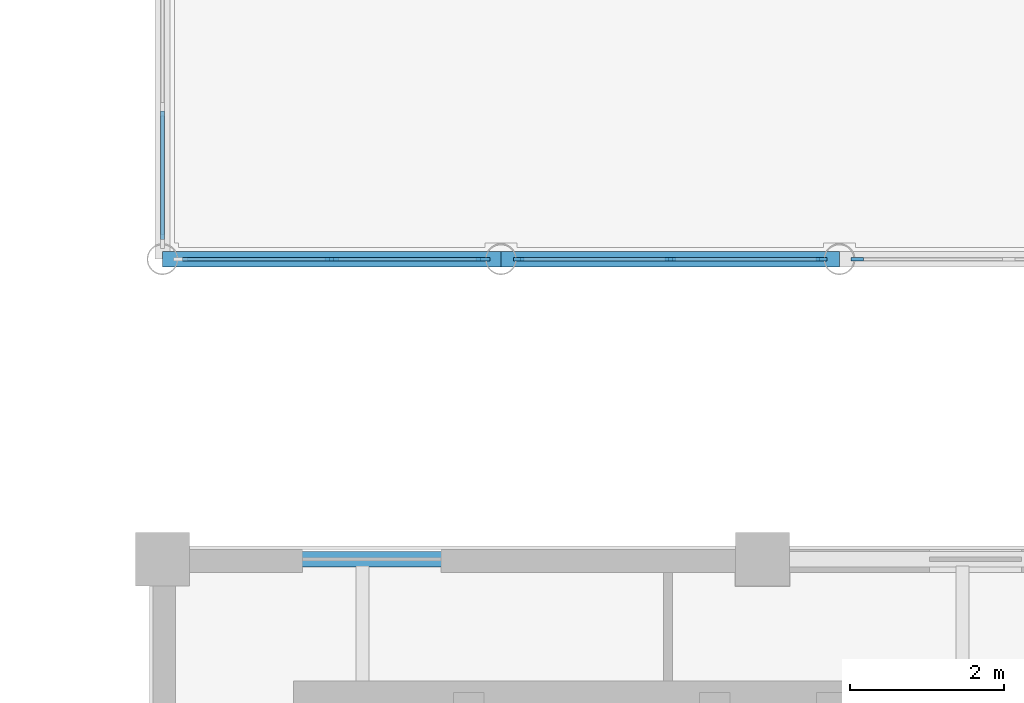
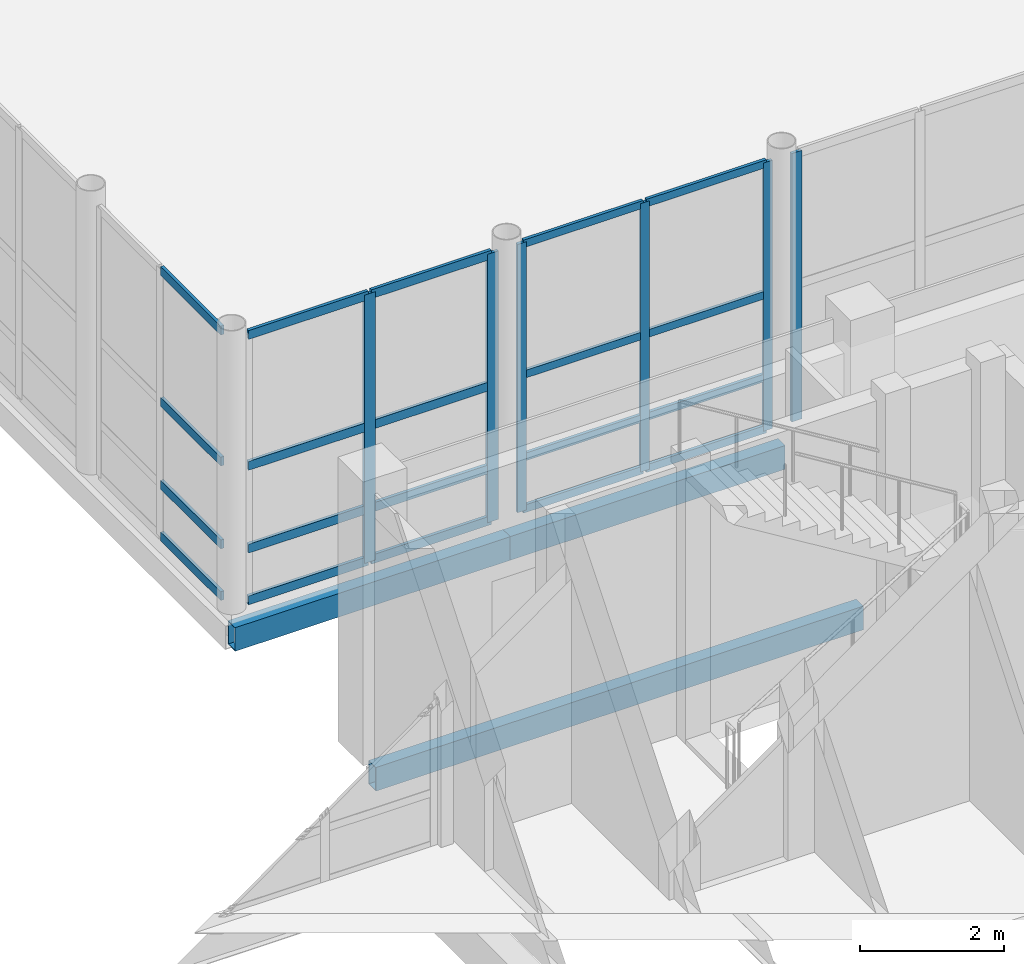
# One storey, part 33 of 131: 26 members, 3 beams, 4 elements without a shape of their own.
"""IFC4 building model written with IfcOpenShell, lengths in metres."""

from ifc_helpers import new_model, si_unit, direction, frame, origin, origin_2d, place, context, subcontext, project, spatial, rectangle, hollow_rectangle, extrude, material, layer, layer_set, material_profile, profile_set, type_object, element, aggregate, save


model = new_model("IFC4")

# Units and contexts
model_context = context("Model", 3, precision=1e-05, world=origin(), true_north=direction((0.0, 1.0)))
body_context = subcontext(model_context, "Body", "Model", "MODEL_VIEW")
ifc_project = project(units=[si_unit("LENGTHUNIT", "METRE"), si_unit("AREAUNIT", "SQUARE_METRE"), si_unit("VOLUMEUNIT", "CUBIC_METRE"), si_unit("PLANEANGLEUNIT", "RADIAN"), si_unit("MASSUNIT", "GRAM", prefix="KILO")], contexts=[model_context])

# Site, building, storey
site_placement = place(None, origin())
site = spatial("IfcSite", under=ifc_project, at=site_placement, CompositionType="ELEMENT")
building_placement = place(site_placement, origin())
building = spatial("IfcBuilding", under=site, at=building_placement, Name="Celorna Specialist Clinic", CompositionType="ELEMENT")
storey_placement = place(building_placement, origin())
storey = spatial("IfcBuildingStorey", under=building, at=storey_placement, Name="L00", CompositionType="ELEMENT", Elevation=0.0)

# Beams
ifc_material_1 = material(Name="Steel S355", Category="steel")
ifc_material_profile_1 = material_profile(ifc_material_1, hollow_rectangle(XDim=0.199951171875, YDim=0.39990234375, WallThickness=0.011962890625, at=origin_2d()), Name="RHS 200x400x12")
ifc_profile_set_1 = profile_set([ifc_material_profile_1], Name="Steel S355")
beam_type = type_object("IfcBeamType", Name="BM-15", PredefinedType="SPANDREL", material=ifc_profile_set_1)
for number, where, z_axis, x_axis, name in (
    (1, (54.60009765625, 46.800048828125, -0.5), (1.0, 0.0, 0.0), (0.0, 1.0, 0.0), "Spandrel beam BM-15 #128"),
    (2, (59.0, 46.800048828125, -0.5), (1.0, 0.0, 0.0), (0.0, 1.0, 0.0), "Spandrel beam BM-15 #129"),
):
    element("IfcBeam", number, at=place(storey_placement, frame(where, z_axis=z_axis, x_axis=x_axis)), inside=storey, type_object=beam_type, Name=name, PredefinedType="SPANDREL", context=body_context, shape_type="SweptSolid", body=[
        extrude(hollow_rectangle(XDim=0.199951171875, YDim=0.39990234375, WallThickness=0.011962890625, at=origin_2d()), origin(), (0.0, 0.0, 1.0), 4.39990234375),
    ])
beam_placement = place(storey_placement, frame((54.60009765625, 42.89990234375, -0.5), z_axis=(1.0, 0.0, 0.0), x_axis=(0.0, 1.0, 0.0)))
element("IfcBeam", 3, at=beam_placement, inside=storey, type_object=beam_type, Name="Spandrel beam BM-15 #2026", PredefinedType="SPANDREL", context=body_context, shape_type="SweptSolid", body=[
    extrude(hollow_rectangle(XDim=0.199951171875, YDim=0.39990234375, WallThickness=0.011962890625, at=origin_2d()), origin(), (0.0, 0.0, 1.0), 7.7998046875),
])

# Curtain wall, member
ifc_material_2 = material(Name="Thermally broken aluminium and solar-control glass curtain wall", Category="aluminium")
ifc_layer_1 = layer(ifc_material_2, 0.159912109375, Name="Thermally broken aluminium and solar-control glass curtain wall")
ifc_layer_set_1 = layer_set([ifc_layer_1], Name="Thermally broken aluminium and solar-control glass curtain wall")
curtain_wall_type_1 = type_object("IfcCurtainWallType", Name="CW-03", PredefinedType="NOTDEFINED", material=ifc_layer_set_1)
curtain_wall_1_placement = place(storey_placement, origin())
curtain_wall_1 = element("IfcCurtainWall", 4, at=curtain_wall_1_placement, inside=storey, type_object=curtain_wall_type_1, Name="Curtain wall CW-03 #3", PredefinedType="NOTDEFINED")
ifc_material_3 = material(Name="Anodized aluminium mullion", Category="aluminium")
ifc_material_profile_2 = material_profile(ifc_material_3, rectangle(XDim=0.050048828125, YDim=0.159912109375, at=origin_2d()), Name="ALU MULLION 50x160")
ifc_profile_set_2 = profile_set([ifc_material_profile_2], Name="Anodized aluminium mullion")
member_type_1 = type_object("IfcMemberType", Name="ML-01", PredefinedType="MULLION", material=ifc_profile_set_2)
member_1_placement = place(storey_placement, frame((63.632080078125, 46.800048828125, 0.0), z_axis=(0.0, 0.0, 1.0), x_axis=(0.0, -1.0, 0.0)))
member_1 = element("IfcMember", 5, at=member_1_placement, type_object=member_type_1, Name="CW-03 mullion 3", PredefinedType="MULLION", context=body_context, shape_type="SweptSolid", body=[
    extrude(rectangle(XDim=0.050048828125, YDim=0.159912109375, at=origin_2d()), origin(), (0.0, 0.0, 1.0), 4.5400390625),
])
aggregate(curtain_wall_1, [member_1])

# Curtain wall, members
ifc_layer_2 = layer(ifc_material_2, 0.159912109375, Name="Thermally broken aluminium and solar-control glass curtain wall")
ifc_layer_set_2 = layer_set([ifc_layer_2], Name="Thermally broken aluminium and solar-control glass curtain wall")
curtain_wall_type_2 = type_object("IfcCurtainWallType", Name="CW-01", PredefinedType="NOTDEFINED", material=ifc_layer_set_2)
curtain_wall_2_placement = place(storey_placement, origin())
curtain_wall_2 = element("IfcCurtainWall", 6, at=curtain_wall_2_placement, inside=storey, type_object=curtain_wall_type_2, Name="Curtain wall CW-01 #1", PredefinedType="NOTDEFINED")
ifc_material_profile_3 = material_profile(ifc_material_3, rectangle(XDim=0.050048828125, YDim=0.179931640625, at=origin_2d()), Name="ALU MULLION 50x180")
ifc_profile_set_3 = profile_set([ifc_material_profile_3], Name="Anodized aluminium mullion")
member_type_2 = type_object("IfcMemberType", Name="ML-02", PredefinedType="MULLION", material=ifc_profile_set_3)
member_2_placement = place(storey_placement, frame((58.767822265625, 46.800048828125, 0.0), z_axis=(0.0, 0.0, 1.0), x_axis=(0.0, -1.0, 0.0)))
member_2 = element("IfcMember", 7, at=member_2_placement, type_object=member_type_2, Name="CW-01 mullion 1", PredefinedType="MULLION", context=body_context, shape_type="SweptSolid", body=[
    extrude(rectangle(XDim=0.050048828125, YDim=0.179931640625, at=origin_2d()), origin(), (0.0, 0.0, 1.0), 4.5400390625),
])
member_3_placement = place(storey_placement, frame((56.800048828125, 46.800048828125, 0.0), z_axis=(0.0, 0.0, 1.0), x_axis=(0.0, -1.0, 0.0)))
member_3 = element("IfcMember", 8, at=member_3_placement, type_object=member_type_2, Name="CW-01 mullion 2", PredefinedType="MULLION", context=body_context, shape_type="SweptSolid", body=[
    extrude(rectangle(XDim=0.050048828125, YDim=0.179931640625, at=origin_2d()), origin(), (0.0, 0.0, 1.0), 4.5400390625),
])

ifc_layer_3 = layer(ifc_material_2, 0.159912109375, Name="Thermally broken aluminium and solar-control glass curtain wall")
ifc_layer_set_3 = layer_set([ifc_layer_3], Name="Thermally broken aluminium and solar-control glass curtain wall")
curtain_wall_type_3 = type_object("IfcCurtainWallType", Name="CW-02", PredefinedType="NOTDEFINED", material=ifc_layer_set_3)
curtain_wall_3_placement = place(storey_placement, origin())
curtain_wall_3 = element("IfcCurtainWall", 9, at=curtain_wall_3_placement, inside=storey, type_object=curtain_wall_type_3, Name="Curtain wall CW-02 #2", PredefinedType="NOTDEFINED")
ifc_material_profile_4 = material_profile(ifc_material_3, rectangle(XDim=0.050048828125, YDim=0.139892578125, at=origin_2d()), Name="ALU MULLION 50x140")
ifc_profile_set_4 = profile_set([ifc_material_profile_4], Name="Anodized aluminium mullion")
member_type_3 = type_object("IfcMemberType", Name="ML-03", PredefinedType="MULLION", material=ifc_profile_set_4)
member_4_placement = place(storey_placement, frame((63.167724609375, 46.800048828125, 0.0), z_axis=(0.0, 0.0, 1.0), x_axis=(0.0, -1.0, 0.0)))
member_4 = element("IfcMember", 10, at=member_4_placement, type_object=member_type_3, Name="CW-02 mullion 1", PredefinedType="MULLION", context=body_context, shape_type="SweptSolid", body=[
    extrude(rectangle(XDim=0.050048828125, YDim=0.139892578125, at=origin_2d()), origin(), (0.0, 0.0, 1.0), 4.5400390625),
])
member_5_placement = place(storey_placement, frame((61.199951171875, 46.800048828125, 0.0), z_axis=(0.0, 0.0, 1.0), x_axis=(0.0, -1.0, 0.0)))
member_5 = element("IfcMember", 11, at=member_5_placement, type_object=member_type_3, Name="CW-02 mullion 2", PredefinedType="MULLION", context=body_context, shape_type="SweptSolid", body=[
    extrude(rectangle(XDim=0.050048828125, YDim=0.139892578125, at=origin_2d()), origin(), (0.0, 0.0, 1.0), 4.5400390625),
])
member_6_placement = place(storey_placement, frame((59.232177734375, 46.800048828125, 0.0), z_axis=(0.0, 0.0, 1.0), x_axis=(0.0, -1.0, 0.0)))
member_6 = element("IfcMember", 12, at=member_6_placement, type_object=member_type_3, Name="CW-02 mullion 3", PredefinedType="MULLION", context=body_context, shape_type="SweptSolid", body=[
    extrude(rectangle(XDim=0.050048828125, YDim=0.139892578125, at=origin_2d()), origin(), (0.0, 0.0, 1.0), 4.5400390625),
])
ifc_material_4 = material(Name="Anodized aluminium transom", Category="aluminium")
ifc_material_profile_5 = material_profile(ifc_material_4, rectangle(XDim=0.050048828125, YDim=0.1298828125, at=origin_2d()), Name="ALU TRANSOM 50x130")
ifc_profile_set_5 = profile_set([ifc_material_profile_5], Name="Anodized aluminium transom")
member_type_4 = type_object("IfcMemberType", Name="TR-01", PredefinedType="USERDEFINED", material=ifc_profile_set_5)
member_7_placement = place(storey_placement, frame((63.142822265625, 46.800048828125, 0.02490234375), z_axis=(-1.0, 0.0, 0.0), x_axis=(0.0, -1.0, 0.0)))
member_7 = element("IfcMember", 13, at=member_7_placement, type_object=member_type_4, Name="CW-02 transom 1.1", ObjectType="TRANSOM", PredefinedType="USERDEFINED", context=body_context, shape_type="SweptSolid", body=[
    extrude(rectangle(XDim=0.050048828125, YDim=0.1298828125, at=origin_2d()), origin(), (0.0, 0.0, 1.0), 1.917724609375),
])
member_8_placement = place(storey_placement, frame((63.142822265625, 46.800048828125, 0.89990234375), z_axis=(-1.0, 0.0, 0.0), x_axis=(0.0, -1.0, 0.0)))
member_8 = element("IfcMember", 14, at=member_8_placement, type_object=member_type_4, Name="CW-02 transom 1.2", ObjectType="TRANSOM", PredefinedType="USERDEFINED", context=body_context, shape_type="SweptSolid", body=[
    extrude(rectangle(XDim=0.050048828125, YDim=0.1298828125, at=origin_2d()), origin(), (0.0, 0.0, 1.0), 1.917724609375),
])
member_9_placement = place(storey_placement, frame((63.142822265625, 46.800048828125, 2.300048828125), z_axis=(-1.0, 0.0, 0.0), x_axis=(0.0, -1.0, 0.0)))
member_9 = element("IfcMember", 15, at=member_9_placement, type_object=member_type_4, Name="CW-02 transom 1.3", ObjectType="TRANSOM", PredefinedType="USERDEFINED", context=body_context, shape_type="SweptSolid", body=[
    extrude(rectangle(XDim=0.050048828125, YDim=0.1298828125, at=origin_2d()), origin(), (0.0, 0.0, 1.0), 1.917724609375),
])
member_10_placement = place(storey_placement, frame((63.142822265625, 46.800048828125, 4.514892578125), z_axis=(-1.0, 0.0, 0.0), x_axis=(0.0, -1.0, 0.0)))
member_10 = element("IfcMember", 16, at=member_10_placement, type_object=member_type_4, Name="CW-02 transom 1.4", ObjectType="TRANSOM", PredefinedType="USERDEFINED", context=body_context, shape_type="SweptSolid", body=[
    extrude(rectangle(XDim=0.050048828125, YDim=0.1298828125, at=origin_2d()), origin(), (0.0, 0.0, 1.0), 1.917724609375),
])
member_11_placement = place(storey_placement, frame((61.175048828125, 46.800048828125, 0.02490234375), z_axis=(-1.0, 0.0, 0.0), x_axis=(0.0, -1.0, 0.0)))
member_11 = element("IfcMember", 17, at=member_11_placement, type_object=member_type_4, Name="CW-02 transom 2.1", ObjectType="TRANSOM", PredefinedType="USERDEFINED", context=body_context, shape_type="SweptSolid", body=[
    extrude(rectangle(XDim=0.050048828125, YDim=0.1298828125, at=origin_2d()), origin(), (0.0, 0.0, 1.0), 1.91796875),
])
member_12_placement = place(storey_placement, frame((61.175048828125, 46.800048828125, 0.89990234375), z_axis=(-1.0, 0.0, 0.0), x_axis=(0.0, -1.0, 0.0)))
member_12 = element("IfcMember", 18, at=member_12_placement, type_object=member_type_4, Name="CW-02 transom 2.2", ObjectType="TRANSOM", PredefinedType="USERDEFINED", context=body_context, shape_type="SweptSolid", body=[
    extrude(rectangle(XDim=0.050048828125, YDim=0.1298828125, at=origin_2d()), origin(), (0.0, 0.0, 1.0), 1.91796875),
])
member_13_placement = place(storey_placement, frame((61.175048828125, 46.800048828125, 2.300048828125), z_axis=(-1.0, 0.0, 0.0), x_axis=(0.0, -1.0, 0.0)))
member_13 = element("IfcMember", 19, at=member_13_placement, type_object=member_type_4, Name="CW-02 transom 2.3", ObjectType="TRANSOM", PredefinedType="USERDEFINED", context=body_context, shape_type="SweptSolid", body=[
    extrude(rectangle(XDim=0.050048828125, YDim=0.1298828125, at=origin_2d()), origin(), (0.0, 0.0, 1.0), 1.91796875),
])
member_14_placement = place(storey_placement, frame((61.175048828125, 46.800048828125, 4.514892578125), z_axis=(-1.0, 0.0, 0.0), x_axis=(0.0, -1.0, 0.0)))
member_14 = element("IfcMember", 20, at=member_14_placement, type_object=member_type_4, Name="CW-02 transom 2.4", ObjectType="TRANSOM", PredefinedType="USERDEFINED", context=body_context, shape_type="SweptSolid", body=[
    extrude(rectangle(XDim=0.050048828125, YDim=0.1298828125, at=origin_2d()), origin(), (0.0, 0.0, 1.0), 1.91796875),
])
aggregate(curtain_wall_3, [member_4, member_5, member_6, member_7, member_8, member_9, member_10, member_11, member_12, member_13, member_14])

# Member
ifc_material_profile_6 = material_profile(ifc_material_4, rectangle(XDim=0.050048828125, YDim=0.14990234375, at=origin_2d()), Name="ALU TRANSOM 50x150")
ifc_profile_set_6 = profile_set([ifc_material_profile_6], Name="Anodized aluminium transom")
member_type_5 = type_object("IfcMemberType", Name="TR-02", PredefinedType="USERDEFINED", material=ifc_profile_set_6)
member_15_placement = place(storey_placement, frame((58.742919921875, 46.800048828125, 0.02490234375), z_axis=(-1.0, 0.0, 0.0), x_axis=(0.0, -1.0, 0.0)))
member_15 = element("IfcMember", 21, at=member_15_placement, type_object=member_type_5, Name="CW-01 transom 1.1", ObjectType="TRANSOM", PredefinedType="USERDEFINED", context=body_context, shape_type="SweptSolid", body=[
    extrude(rectangle(XDim=0.050048828125, YDim=0.14990234375, at=origin_2d()), origin(), (0.0, 0.0, 1.0), 1.91796875),
])

member_16_placement = place(storey_placement, frame((58.742919921875, 46.800048828125, 0.89990234375), z_axis=(-1.0, 0.0, 0.0), x_axis=(0.0, -1.0, 0.0)))
member_16 = element("IfcMember", 22, at=member_16_placement, type_object=member_type_5, Name="CW-01 transom 1.2", ObjectType="TRANSOM", PredefinedType="USERDEFINED", context=body_context, shape_type="SweptSolid", body=[
    extrude(rectangle(XDim=0.050048828125, YDim=0.14990234375, at=origin_2d()), origin(), (0.0, 0.0, 1.0), 1.91796875),
])

member_17_placement = place(storey_placement, frame((58.742919921875, 46.800048828125, 2.300048828125), z_axis=(-1.0, 0.0, 0.0), x_axis=(0.0, -1.0, 0.0)))
member_17 = element("IfcMember", 23, at=member_17_placement, type_object=member_type_5, Name="CW-01 transom 1.3", ObjectType="TRANSOM", PredefinedType="USERDEFINED", context=body_context, shape_type="SweptSolid", body=[
    extrude(rectangle(XDim=0.050048828125, YDim=0.14990234375, at=origin_2d()), origin(), (0.0, 0.0, 1.0), 1.91796875),
])

member_18_placement = place(storey_placement, frame((58.742919921875, 46.800048828125, 4.514892578125), z_axis=(-1.0, 0.0, 0.0), x_axis=(0.0, -1.0, 0.0)))
member_18 = element("IfcMember", 24, at=member_18_placement, type_object=member_type_5, Name="CW-01 transom 1.4", ObjectType="TRANSOM", PredefinedType="USERDEFINED", context=body_context, shape_type="SweptSolid", body=[
    extrude(rectangle(XDim=0.050048828125, YDim=0.14990234375, at=origin_2d()), origin(), (0.0, 0.0, 1.0), 1.91796875),
])

member_19_placement = place(storey_placement, frame((56.77490234375, 46.800048828125, 0.02490234375), z_axis=(-1.0, 0.0, 0.0), x_axis=(0.0, -1.0, 0.0)))
member_19 = element("IfcMember", 25, at=member_19_placement, type_object=member_type_5, Name="CW-01 transom 2.1", ObjectType="TRANSOM", PredefinedType="USERDEFINED", context=body_context, shape_type="SweptSolid", body=[
    extrude(rectangle(XDim=0.050048828125, YDim=0.14990234375, at=origin_2d()), origin(), (0.0, 0.0, 1.0), 1.917724609375),
])

member_20_placement = place(storey_placement, frame((56.77490234375, 46.800048828125, 0.89990234375), z_axis=(-1.0, 0.0, 0.0), x_axis=(0.0, -1.0, 0.0)))
member_20 = element("IfcMember", 26, at=member_20_placement, type_object=member_type_5, Name="CW-01 transom 2.2", ObjectType="TRANSOM", PredefinedType="USERDEFINED", context=body_context, shape_type="SweptSolid", body=[
    extrude(rectangle(XDim=0.050048828125, YDim=0.14990234375, at=origin_2d()), origin(), (0.0, 0.0, 1.0), 1.917724609375),
])

member_21_placement = place(storey_placement, frame((56.77490234375, 46.800048828125, 2.300048828125), z_axis=(-1.0, 0.0, 0.0), x_axis=(0.0, -1.0, 0.0)))
member_21 = element("IfcMember", 27, at=member_21_placement, type_object=member_type_5, Name="CW-01 transom 2.3", ObjectType="TRANSOM", PredefinedType="USERDEFINED", context=body_context, shape_type="SweptSolid", body=[
    extrude(rectangle(XDim=0.050048828125, YDim=0.14990234375, at=origin_2d()), origin(), (0.0, 0.0, 1.0), 1.917724609375),
])

member_22_placement = place(storey_placement, frame((56.77490234375, 46.800048828125, 4.514892578125), z_axis=(-1.0, 0.0, 0.0), x_axis=(0.0, -1.0, 0.0)))
member_22 = element("IfcMember", 28, at=member_22_placement, type_object=member_type_5, Name="CW-01 transom 2.4", ObjectType="TRANSOM", PredefinedType="USERDEFINED", context=body_context, shape_type="SweptSolid", body=[
    extrude(rectangle(XDim=0.050048828125, YDim=0.14990234375, at=origin_2d()), origin(), (0.0, 0.0, 1.0), 1.917724609375),
])

aggregate(curtain_wall_2, [member_2, member_3, member_15, member_16, member_17, member_18, member_19, member_20, member_21, member_22])

# Curtain wall, members
ifc_layer_4 = layer(ifc_material_2, 0.159912109375, Name="Thermally broken aluminium and solar-control glass curtain wall")
ifc_layer_set_4 = layer_set([ifc_layer_4], Name="Thermally broken aluminium and solar-control glass curtain wall")
curtain_wall_type_4 = type_object("IfcCurtainWallType", Name="CW-04", PredefinedType="NOTDEFINED", material=ifc_layer_set_4)
curtain_wall_4_placement = place(storey_placement, origin())
curtain_wall_4 = element("IfcCurtainWall", 29, at=curtain_wall_4_placement, inside=storey, type_object=curtain_wall_type_4, Name="Curtain wall CW-04 #10", PredefinedType="NOTDEFINED")
member_23_placement = place(storey_placement, frame((54.60009765625, 47.05712890625, 0.02490234375), z_axis=(0.0, 1.0, 0.0), x_axis=(-1.0, 0.0, 0.0)))
member_23 = element("IfcMember", 30, at=member_23_placement, type_object=member_type_5, Name="CW-04 transom 1.1", ObjectType="TRANSOM", PredefinedType="USERDEFINED", context=body_context, shape_type="SweptSolid", body=[
    extrude(rectangle(XDim=0.050048828125, YDim=0.14990234375, at=origin_2d()), origin(), (0.0, 0.0, 1.0), 1.66796875),
])
member_24_placement = place(storey_placement, frame((54.60009765625, 47.05712890625, 0.89990234375), z_axis=(0.0, 1.0, 0.0), x_axis=(-1.0, 0.0, 0.0)))
member_24 = element("IfcMember", 31, at=member_24_placement, type_object=member_type_5, Name="CW-04 transom 1.2", ObjectType="TRANSOM", PredefinedType="USERDEFINED", context=body_context, shape_type="SweptSolid", body=[
    extrude(rectangle(XDim=0.050048828125, YDim=0.14990234375, at=origin_2d()), origin(), (0.0, 0.0, 1.0), 1.66796875),
])
member_25_placement = place(storey_placement, frame((54.60009765625, 47.05712890625, 2.300048828125), z_axis=(0.0, 1.0, 0.0), x_axis=(-1.0, 0.0, 0.0)))
member_25 = element("IfcMember", 32, at=member_25_placement, type_object=member_type_5, Name="CW-04 transom 1.3", ObjectType="TRANSOM", PredefinedType="USERDEFINED", context=body_context, shape_type="SweptSolid", body=[
    extrude(rectangle(XDim=0.050048828125, YDim=0.14990234375, at=origin_2d()), origin(), (0.0, 0.0, 1.0), 1.66796875),
])
member_26_placement = place(storey_placement, frame((54.60009765625, 47.05712890625, 4.514892578125), z_axis=(0.0, 1.0, 0.0), x_axis=(-1.0, 0.0, 0.0)))
member_26 = element("IfcMember", 33, at=member_26_placement, type_object=member_type_5, Name="CW-04 transom 1.4", ObjectType="TRANSOM", PredefinedType="USERDEFINED", context=body_context, shape_type="SweptSolid", body=[
    extrude(rectangle(XDim=0.050048828125, YDim=0.14990234375, at=origin_2d()), origin(), (0.0, 0.0, 1.0), 1.66796875),
])
aggregate(curtain_wall_4, [member_23, member_24, member_25, member_26])

save(model, "model.ifc")
